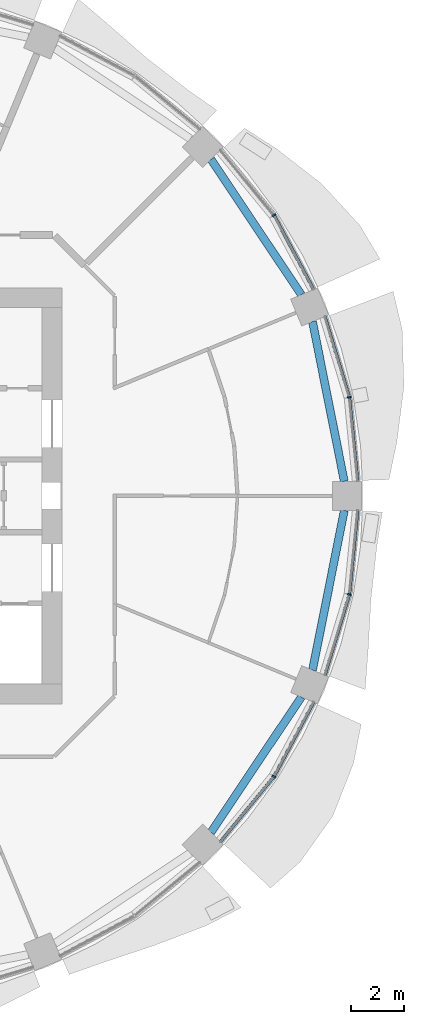
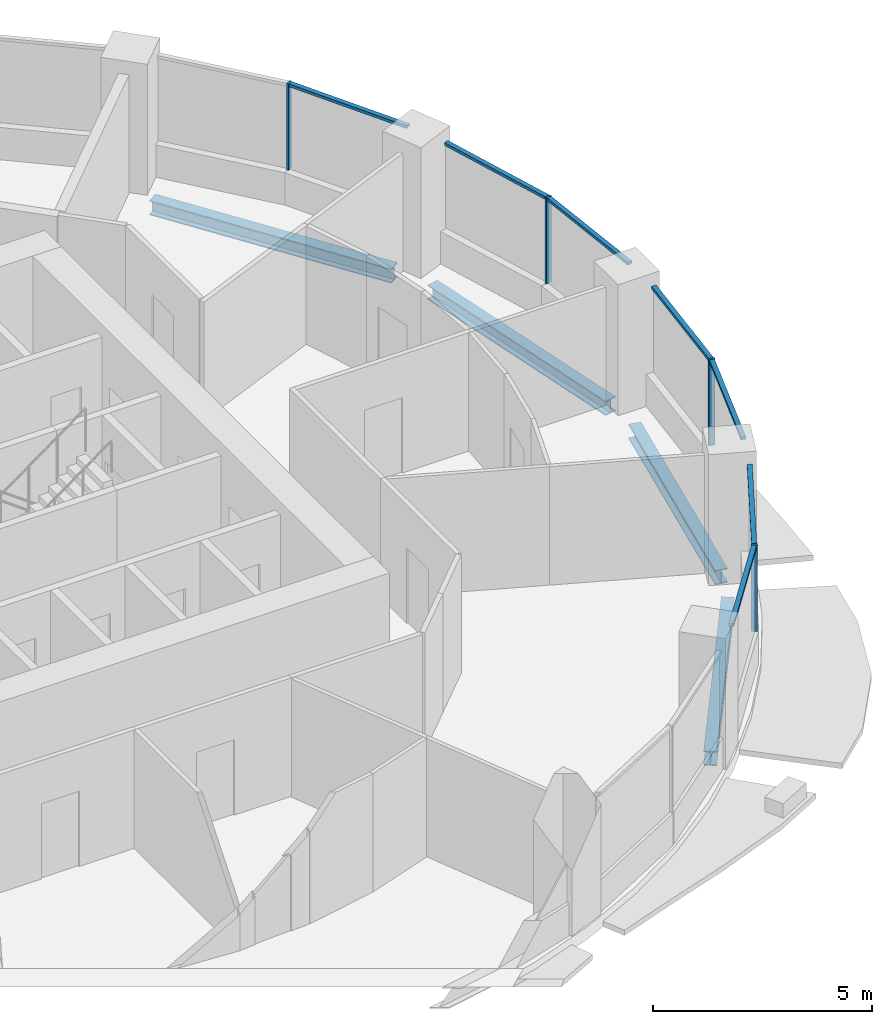
# One storey, part 4 of 14: 11 members, 4 beams, 4 elements without a shape of their own.
"""IFC4 building model written with IfcOpenShell, lengths in metres."""

import ifcopenshell
import ifcopenshell.guid

model = None  # the IFC model being written
_history = None  # IfcOwnerHistory: only IFC2X3 demands one
_inside = {}  # id of a spatial element -> (the spatial element, [elements in it])
_under = {}  # id of a project, library or spatial element -> (it, [spatial elements below it])
_declared = {}  # id of a project -> (the project, [libraries it declares])
_typed = {}  # id of a type object -> (the type object, [elements of that type])
_made_of = {}  # id of a material, layer set ... -> (it, [elements and type objects made of it])


def new_model(schema):
    """Start an empty IFC model of exactly this schema.

    Asked for "IFC4X3", IfcOpenShell would pick the latest addendum, in which some entities
    have other attributes; the version numbers below select the first issue.
    IFC2X3 requires an IfcOwnerHistory on every rooted entity: one is made here for all.
    """
    global model, _history
    if schema == "IFC4X3":
        model = ifcopenshell.file(schema_version=(4, 3, 0, 0))
    else:
        model = ifcopenshell.file(schema=schema)
    _inside.clear()
    _under.clear()
    _declared.clear()
    _typed.clear()
    _made_of.clear()
    _history = None
    if model.schema == "IFC2X3":
        org = make("IfcOrganization", Name="unknown")
        user = make(
            "IfcPersonAndOrganization",
            ThePerson=make("IfcPerson", FamilyName="unknown"),
            TheOrganization=org,
        )
        app = make(
            "IfcApplication",
            ApplicationDeveloper=org,
            Version="unknown",
            ApplicationFullName="unknown",
            ApplicationIdentifier="unknown",
        )
        _history = make(
            "IfcOwnerHistory",
            OwningUser=user,
            OwningApplication=app,
            ChangeAction="ADDED",
            CreationDate=0,
        )
    return model


def make(cls, **values):
    """One entity of the class cls with the attributes given. An attribute that is None is left unset."""
    return model.create_entity(
        cls, **{name: value for name, value in values.items() if value is not None}
    )


def rooted(cls, **values):
    """An entity with a GlobalId (a new one), such as an element, a storey or a relation."""
    return make(cls, GlobalId=ifcopenshell.guid.new(), OwnerHistory=_history, **values)


def si_unit(unit_type, name, prefix=None):
    """IfcSIUnit, for example si_unit("LENGTHUNIT", "METRE", prefix="MILLI")."""
    return make("IfcSIUnit", UnitType=unit_type, Prefix=prefix, Name=name)


def assignment(units):
    """IfcUnitAssignment: the units of a project."""
    return None if units is None else make("IfcUnitAssignment", Units=units)


def point(xyz):
    """IfcCartesianPoint."""
    return None if xyz is None else make("IfcCartesianPoint", Coordinates=xyz)


def direction(xyz):
    """IfcDirection."""
    return None if xyz is None else make("IfcDirection", DirectionRatios=xyz)


def frame(location, z_axis=None, x_axis=None):
    """IfcAxis2Placement3D, a coordinate frame: its origin and axes. An axis left out is left unset."""
    return make(
        "IfcAxis2Placement3D",
        Location=point(location),
        Axis=direction(z_axis),
        RefDirection=direction(x_axis),
    )


def frame_2d(location, x_axis=None):
    """IfcAxis2Placement2D, a coordinate frame in the plane: its origin and x axis."""
    return make(
        "IfcAxis2Placement2D", Location=point(location), RefDirection=direction(x_axis)
    )


def origin():
    """The frame at (0, 0, 0) with its axes left unset."""
    return frame((0.0, 0.0, 0.0))


def origin_2d():
    """The frame at (0, 0) in the plane with its x axis left unset."""
    return frame_2d((0.0, 0.0))


def place(relative_to, where):
    """IfcLocalPlacement: puts the frame where relative to a parent placement (None: the world)."""
    return make(
        "IfcLocalPlacement", PlacementRelTo=relative_to, RelativePlacement=where
    )


def context(
    kind, dimensions, precision=None, world=None, true_north=None, identifier=None
):
    """IfcGeometricRepresentationContext, for example the 3D "Model" context."""
    return make(
        "IfcGeometricRepresentationContext",
        ContextIdentifier=identifier,
        ContextType=kind,
        CoordinateSpaceDimension=dimensions,
        Precision=precision,
        WorldCoordinateSystem=world,
        TrueNorth=true_north,
    )


def subcontext(parent, identifier, kind, view, scale=None):
    """IfcGeometricRepresentationSubContext, for example "Body" below "Model"."""
    return make(
        "IfcGeometricRepresentationSubContext",
        ContextIdentifier=identifier,
        ContextType=kind,
        ParentContext=parent,
        TargetScale=scale,
        TargetView=view,
    )


def project(units=None, contexts=None):
    """IfcProject with its units and contexts."""
    return rooted(
        "IfcProject",
        Name="project",
        RepresentationContexts=contexts,
        UnitsInContext=assignment(units),
    )


def spatial(cls, under=None, at=None, **own):
    """A site, building, storey or space (cls), placed at a placement, below another one or the project."""
    s = rooted(cls, ObjectPlacement=at, **own)
    if under is not None:
        _under.setdefault(under.id(), (under, []))[1].append(s)
    return s


def profile(cls, at=None, kind="AREA", **sizes):
    """A parametric profile (cls). Its sizes go by their IFC names, for example OverallWidth=200.0."""
    return make(cls, ProfileType=kind, Position=at, **sizes)


def rectangle(**sizes):
    """IfcRectangleProfileDef."""
    return profile("IfcRectangleProfileDef", **sizes)


def i_section(**sizes):
    """IfcIShapeProfileDef."""
    return profile("IfcIShapeProfileDef", **sizes)


def extrude(swept, where, along, depth):
    """IfcExtrudedAreaSolid: the profile swept, set in the frame where, extruded along a direction by depth."""
    return make(
        "IfcExtrudedAreaSolid",
        SweptArea=swept,
        Position=where,
        ExtrudedDirection=direction(along),
        Depth=depth,
    )


def shape(context_of_items, identifier, shape_type, items):
    """IfcShapeRepresentation: the items that make up one representation, for example the "Body"."""
    return make(
        "IfcShapeRepresentation",
        ContextOfItems=context_of_items,
        RepresentationIdentifier=identifier,
        RepresentationType=shape_type,
        Items=items,
    )


def material(Name=None, Category=None):
    """IfcMaterial."""
    return make("IfcMaterial", Name=Name, Category=Category)


def material_profile(
    of_material, cross_section, Name=None, Category=None, Priority=None
):
    """IfcMaterialProfile: a cross section and its material."""
    return make(
        "IfcMaterialProfile",
        Name=Name,
        Material=of_material,
        Profile=cross_section,
        Priority=Priority,
        Category=Category,
    )


def profile_set(profiles, Name=None, composite=None):
    """IfcMaterialProfileSet."""
    return make(
        "IfcMaterialProfileSet",
        Name=Name,
        MaterialProfiles=profiles,
        CompositeProfile=composite,
    )


def made_of(thing, what):
    """Note that an element or type object is made of a material, layer set ...; save() writes the relation."""
    if what is not None:
        _made_of.setdefault(what.id(), (what, []))[1].append(thing)
    return thing


def type_object(cls, material=None, **own):
    """A type object (cls), such as IfcWallType, which elements share."""
    return made_of(rooted(cls, **own), material)


def element(
    cls,
    number,
    at=None,
    inside=None,
    cuts=None,
    type_object=None,
    material=None,
    context=None,
    identifier="Body",
    shape_type=None,
    held_by="IfcProductDefinitionShape",
    body=None,
    shapes=None,
    **own,
):
    """One element of the class cls, such as IfcWall. Its Tag is "e" and its number.

    at: its placement. inside: the storey or other place that contains it. cuts: it is an
    opening in that element (IfcRelVoidsElement). A single representation is given by context,
    identifier, shape_type and body (its items); several are given by shapes. held_by: the class
    of the entity that holds the representations. save() writes the other relations.
    """
    e = rooted(cls, Tag="e%d" % number, ObjectPlacement=at, **own)
    if body is not None:
        shapes = [shape(context, identifier, shape_type, body)]
    if shapes is not None:
        e.Representation = make(held_by, Representations=shapes)
    if inside is not None:
        _inside.setdefault(inside.id(), (inside, []))[1].append(e)
    if cuts is not None:
        rooted(
            "IfcRelVoidsElement", RelatingBuildingElement=cuts, RelatedOpeningElement=e
        )
    if type_object is not None:
        _typed.setdefault(type_object.id(), (type_object, []))[1].append(e)
    return made_of(e, material)


def aggregate(whole, parts):
    """IfcRelAggregates: a whole, such as a stair, and the parts it consists of."""
    return rooted("IfcRelAggregates", RelatingObject=whole, RelatedObjects=parts)


def save(model, path):
    """Write the relations noted so far, then the file.

    IfcRelAggregates (storeys below a building ...), IfcRelContainedInSpatialStructure (elements
    in a storey), IfcRelDefinesByType, IfcRelAssociatesMaterial and IfcRelDeclares: one each for
    every whole, place, type object, material and project.
    """
    for whole, parts in _under.values():
        aggregate(whole, parts)
    for where, things in _inside.values():
        rooted(
            "IfcRelContainedInSpatialStructure",
            RelatedElements=things,
            RelatingStructure=where,
        )
    for kind, things in _typed.values():
        rooted("IfcRelDefinesByType", RelatedObjects=things, RelatingType=kind)
    for what, things in _made_of.values():
        rooted("IfcRelAssociatesMaterial", RelatedObjects=things, RelatingMaterial=what)
    for by, libraries in _declared.values():
        rooted("IfcRelDeclares", RelatingContext=by, RelatedDefinitions=libraries)
    model.write(path)


model = new_model("IFC4")

# Units and contexts
model_context = context("Model", 3, precision=1e-05, world=origin(), true_north=direction((0.0, 1.0)))
body_context = subcontext(model_context, "Body", "Model", "MODEL_VIEW")
ifc_project = project(units=[si_unit("LENGTHUNIT", "METRE"), si_unit("AREAUNIT", "SQUARE_METRE"), si_unit("VOLUMEUNIT", "CUBIC_METRE"), si_unit("PLANEANGLEUNIT", "RADIAN"), si_unit("MASSUNIT", "GRAM", prefix="KILO")], contexts=[model_context])

# Site, building, storey
site_placement = place(None, origin())
site = spatial("IfcSite", under=ifc_project, at=site_placement, CompositionType="ELEMENT")
building_placement = place(site_placement, origin())
building = spatial("IfcBuilding", under=site, at=building_placement, Name="Polderwave Tower", CompositionType="ELEMENT")
storey_placement = place(building_placement, frame((0.0, 0.0, 98.300048828125)))
storey = spatial("IfcBuildingStorey", under=building, at=storey_placement, Name="L25", CompositionType="ELEMENT", Elevation=98.300048828125)

# Curtain wall, member
ifc_material_1 = material(Name="Aluminium 6063-T6 and glass", Category="aluminium")
curtain_wall_type = type_object("IfcCurtainWallType", Name="Growing floor ribbon glazing wall", PredefinedType="NOTDEFINED", material=ifc_material_1)
curtain_wall_1_placement = place(storey_placement, origin())
curtain_wall_1 = element("IfcCurtainWall", 1, at=curtain_wall_1_placement, inside=storey, type_object=curtain_wall_type, Name="CW2 L25 00", PredefinedType="NOTDEFINED")
ifc_material_2 = material(Name="Aluminium 6063-T6", Category="aluminium")
ifc_material_profile_1 = material_profile(ifc_material_2, rectangle(XDim=0.14990234375, YDim=0.06005859375, at=origin_2d()), Name="AL 60x150")
ifc_profile_set_1 = profile_set([ifc_material_profile_1], Name="Aluminium 6063-T6")
member_type_1 = type_object("IfcMemberType", Name="Growing floor ribbon glazing mullion 60x150", PredefinedType="MULLION", material=ifc_profile_set_1)
member_1_placement = place(storey_placement, frame((18.7529296875, 3.72998046875, 0.89990234375), z_axis=(0.0, 0.0, 1.0), x_axis=(-0.980780853692, -0.195112575278, 0.0)))
member_1 = element("IfcMember", 2, at=member_1_placement, type_object=member_type_1, Name="CW2 mullion 1", PredefinedType="MULLION", context=body_context, shape_type="SweptSolid", body=[
    extrude(rectangle(XDim=0.14990234375, YDim=0.06005859375, at=origin_2d()), origin(), (0.0, 0.0, 1.0), 2.400146484375),
])

curtain_wall_2_placement = place(storey_placement, origin())
curtain_wall_2 = element("IfcCurtainWall", 3, at=curtain_wall_2_placement, inside=storey, type_object=curtain_wall_type, Name="CW2 L25 01", PredefinedType="NOTDEFINED")
member_2_placement = place(storey_placement, frame((15.89794921875, 10.623046875, 0.89990234375), z_axis=(0.0, 0.0, 1.0), x_axis=(-0.831467672992, -0.555573135393, 0.0)))
member_2 = element("IfcMember", 4, at=member_2_placement, type_object=member_type_1, Name="CW2 mullion 1", PredefinedType="MULLION", context=body_context, shape_type="SweptSolid", body=[
    extrude(rectangle(XDim=0.14990234375, YDim=0.06005859375, at=origin_2d()), origin(), (0.0, 0.0, 1.0), 2.400146484375),
])

curtain_wall_3_placement = place(storey_placement, origin())
curtain_wall_3 = element("IfcCurtainWall", 5, at=curtain_wall_3_placement, inside=storey, type_object=curtain_wall_type, Name="CW2 L25 14", PredefinedType="NOTDEFINED")
member_3_placement = place(storey_placement, frame((15.89794921875, -10.623046875, 0.89990234375), z_axis=(0.0, 0.0, 1.0), x_axis=(-0.831467672992, 0.555573135393, 0.0)))
member_3 = element("IfcMember", 6, at=member_3_placement, type_object=member_type_1, Name="CW2 mullion 1", PredefinedType="MULLION", context=body_context, shape_type="SweptSolid", body=[
    extrude(rectangle(XDim=0.14990234375, YDim=0.06005859375, at=origin_2d()), origin(), (0.0, 0.0, 1.0), 2.400146484375),
])

curtain_wall_4_placement = place(storey_placement, origin())
curtain_wall_4 = element("IfcCurtainWall", 7, at=curtain_wall_4_placement, inside=storey, type_object=curtain_wall_type, Name="CW2 L25 15", PredefinedType="NOTDEFINED")
member_4_placement = place(storey_placement, frame((18.7529296875, -3.72998046875, 0.89990234375), z_axis=(0.0, 0.0, 1.0), x_axis=(-0.980780853692, 0.195112575278, 0.0)))
member_4 = element("IfcMember", 8, at=member_4_placement, type_object=member_type_1, Name="CW2 mullion 1", PredefinedType="MULLION", context=body_context, shape_type="SweptSolid", body=[
    extrude(rectangle(XDim=0.14990234375, YDim=0.06005859375, at=origin_2d()), origin(), (0.0, 0.0, 1.0), 2.400146484375),
])

# Member
ifc_material_profile_2 = material_profile(ifc_material_2, rectangle(XDim=0.1201171875, YDim=0.080078125, at=origin_2d()), Name="AL 80x120")
ifc_profile_set_2 = profile_set([ifc_material_profile_2], Name="Aluminium 6063-T6")
member_type_2 = type_object("IfcMemberType", Name="Growing floor ribbon glazing transom 80x120", PredefinedType="USERDEFINED", material=ifc_profile_set_2)
member_5_placement = place(storey_placement, frame((19.06591796875, 0.550048828125, 3.260009765625), z_axis=(-0.097953388713, 0.995191003597, 0.0), x_axis=(-0.995191003597, -0.097953388713, 0.0)))
member_5 = element("IfcMember", 9, at=member_5_placement, type_object=member_type_2, Name="CW2 transom 1", ObjectType="TRANSOM", PredefinedType="USERDEFINED", context=body_context, shape_type="SweptSolid", body=[
    extrude(rectangle(XDim=0.1201171875, YDim=0.080078125, at=origin_2d()), origin(), (0.0, 0.0, 1.0), 3.165283203125),
])

member_6_placement = place(storey_placement, frame((18.744384765625, 3.7587890625, 3.260009765625), z_axis=(-0.290431166093, 0.956895886584, 0.0), x_axis=(-0.956895886584, -0.290431166093, 0.0)))
member_6 = element("IfcMember", 10, at=member_6_placement, type_object=member_type_2, Name="CW2 transom 2", ObjectType="TRANSOM", PredefinedType="USERDEFINED", context=body_context, shape_type="SweptSolid", body=[
    extrude(rectangle(XDim=0.1201171875, YDim=0.080078125, at=origin_2d()), origin(), (0.0, 0.0, 1.0), 3.165771484375),
])

aggregate(curtain_wall_1, [member_1, member_5, member_6])

member_7_placement = place(storey_placement, frame((17.404052734375, 7.803955078125, 3.260009765625), z_axis=(-0.471232490074, 0.882009036404, 0.0), x_axis=(-0.882009036404, -0.471232490074, 0.0)))
member_7 = element("IfcMember", 11, at=member_7_placement, type_object=member_type_2, Name="CW2 transom 1", ObjectType="TRANSOM", PredefinedType="USERDEFINED", context=body_context, shape_type="SweptSolid", body=[
    extrude(rectangle(XDim=0.1201171875, YDim=0.080078125, at=origin_2d()), origin(), (0.0, 0.0, 1.0), 3.166015625),
])

aggregate(curtain_wall_2, [member_2, member_7])

member_8_placement = place(storey_placement, frame((13.8701171875, -13.093017578125, 3.260009765625), z_axis=(0.634538762198, 0.772891039712, 0.0), x_axis=(-0.772891039712, 0.634538762198, 0.0)))
member_8 = element("IfcMember", 12, at=member_8_placement, type_object=member_type_2, Name="CW2 transom 1", ObjectType="TRANSOM", PredefinedType="USERDEFINED", context=body_context, shape_type="SweptSolid", body=[
    extrude(rectangle(XDim=0.1201171875, YDim=0.080078125, at=origin_2d()), origin(), (0.0, 0.0, 1.0), 3.165771484375),
])

member_9_placement = place(storey_placement, frame((15.912109375, -10.596435546875, 3.260009765625), z_axis=(0.471232490074, 0.882009036404, 0.0), x_axis=(-0.882009036404, 0.471232490074, 0.0)))
member_9 = element("IfcMember", 13, at=member_9_placement, type_object=member_type_2, Name="CW2 transom 2", ObjectType="TRANSOM", PredefinedType="USERDEFINED", context=body_context, shape_type="SweptSolid", body=[
    extrude(rectangle(XDim=0.1201171875, YDim=0.080078125, at=origin_2d()), origin(), (0.0, 0.0, 1.0), 3.166015625),
])

aggregate(curtain_wall_3, [member_3, member_8, member_9])

member_10_placement = place(storey_placement, frame((17.824951171875, -6.7880859375, 3.260009765625), z_axis=(0.290431166093, 0.956895886584, 0.0), x_axis=(-0.956895886584, 0.290431166093, 0.0)))
member_10 = element("IfcMember", 14, at=member_10_placement, type_object=member_type_2, Name="CW2 transom 1", ObjectType="TRANSOM", PredefinedType="USERDEFINED", context=body_context, shape_type="SweptSolid", body=[
    extrude(rectangle(XDim=0.1201171875, YDim=0.080078125, at=origin_2d()), origin(), (0.0, 0.0, 1.0), 3.165771484375),
])

member_11_placement = place(storey_placement, frame((18.755859375, -3.7001953125, 3.260009765625), z_axis=(0.097953388713, 0.995191003597, 0.0), x_axis=(-0.995191003597, 0.097953388713, 0.0)))
member_11 = element("IfcMember", 15, at=member_11_placement, type_object=member_type_2, Name="CW2 transom 2", ObjectType="TRANSOM", PredefinedType="USERDEFINED", context=body_context, shape_type="SweptSolid", body=[
    extrude(rectangle(XDim=0.1201171875, YDim=0.080078125, at=origin_2d()), origin(), (0.0, 0.0, 1.0), 3.165283203125),
])

aggregate(curtain_wall_4, [member_4, member_10, member_11])

# Beams
ifc_material_3 = material(Name="Steel S355", Category="steel")
ifc_material_profile_3 = material_profile(ifc_material_3, i_section(OverallWidth=0.300048828125, OverallDepth=0.39990234375, WebThickness=0.013427734375, FlangeThickness=0.02392578125, at=origin_2d()), Name="HE 400 B")
ifc_profile_set_3 = profile_set([ifc_material_profile_3], Name="Steel S355")
beam_type = type_object("IfcBeamType", Name="RING BEAM HE 400 B", PredefinedType="BEAM", material=ifc_profile_set_3)
for number, where, z_axis, x_axis, name in (
    (16, (18.560546875, 0.550048828125, -0.550048828125), (-0.195095226048, 0.980784304918, 0.0), (-0.980784304918, -0.195095226048, 0.0), "ST-RB-L25-00"),
    (17, (16.937255859375, 7.611083984375, -0.550048828125), (-0.555586625808, 0.831458658758, 0.0), (-0.831458658758, -0.555586625808, 0.0), "ST-RB-L25-01"),
    (18, (13.51318359375, -12.7353515625, -0.550048828125), (0.555586625808, 0.831458658758, 0.0), (-0.831458658758, 0.555586625808, 0.0), "ST-RB-L25-14"),
    (19, (17.358154296875, -6.5947265625, -0.550048828125), (0.195095226048, 0.980784304918, 0.0), (-0.980784304918, 0.195095226048, 0.0), "ST-RB-L25-15"),
):
    element("IfcBeam", number, at=place(storey_placement, frame(where, z_axis=z_axis, x_axis=x_axis)), inside=storey, type_object=beam_type, Name=name, PredefinedType="BEAM", context=body_context, shape_type="SweptSolid", body=[
        extrude(i_section(OverallWidth=0.300048828125, OverallDepth=0.39990234375, WebThickness=0.013427734375, FlangeThickness=0.02392578125, at=origin_2d()), origin(), (0.0, 0.0, 1.0), 6.1630859375),
    ])

save(model, "model.ifc")
